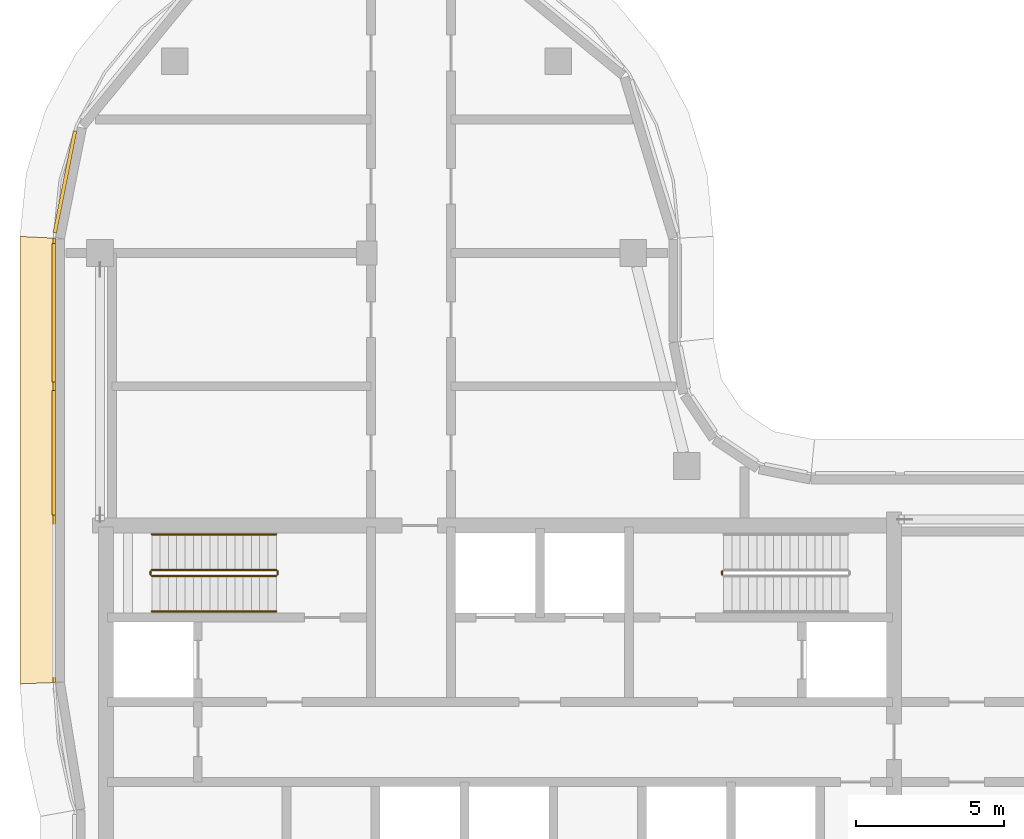
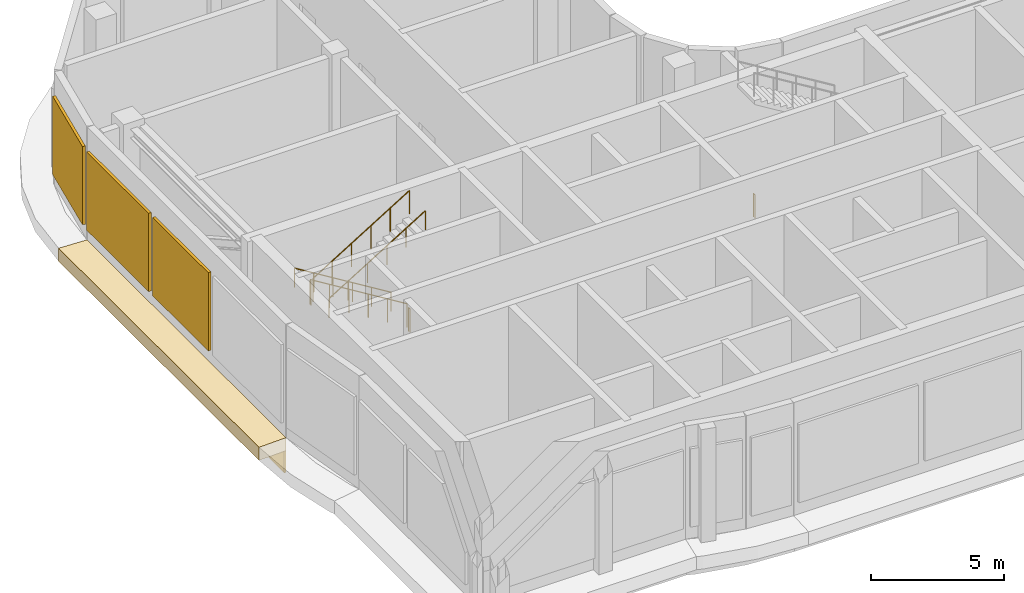
# One storey, part 10 of 14: 7 railings, 3 shading devices, 2 coverings.
"""IFC4 building model written with IfcOpenShell, lengths in metres."""

import ifcopenshell
import ifcopenshell.guid

model = None  # the IFC model being written
_history = None  # IfcOwnerHistory: only IFC2X3 demands one
_inside = {}  # id of a spatial element -> (the spatial element, [elements in it])
_under = {}  # id of a project, library or spatial element -> (it, [spatial elements below it])
_declared = {}  # id of a project -> (the project, [libraries it declares])
_typed = {}  # id of a type object -> (the type object, [elements of that type])
_made_of = {}  # id of a material, layer set ... -> (it, [elements and type objects made of it])


def new_model(schema):
    """Start an empty IFC model of exactly this schema.

    Asked for "IFC4X3", IfcOpenShell would pick the latest addendum, in which some entities
    have other attributes; the version numbers below select the first issue.
    IFC2X3 requires an IfcOwnerHistory on every rooted entity: one is made here for all.
    """
    global model, _history
    if schema == "IFC4X3":
        model = ifcopenshell.file(schema_version=(4, 3, 0, 0))
    else:
        model = ifcopenshell.file(schema=schema)
    _inside.clear()
    _under.clear()
    _declared.clear()
    _typed.clear()
    _made_of.clear()
    _history = None
    if model.schema == "IFC2X3":
        org = make("IfcOrganization", Name="unknown")
        user = make(
            "IfcPersonAndOrganization",
            ThePerson=make("IfcPerson", FamilyName="unknown"),
            TheOrganization=org,
        )
        app = make(
            "IfcApplication",
            ApplicationDeveloper=org,
            Version="unknown",
            ApplicationFullName="unknown",
            ApplicationIdentifier="unknown",
        )
        _history = make(
            "IfcOwnerHistory",
            OwningUser=user,
            OwningApplication=app,
            ChangeAction="ADDED",
            CreationDate=0,
        )
    return model


def make(cls, **values):
    """One entity of the class cls with the attributes given. An attribute that is None is left unset."""
    return model.create_entity(
        cls, **{name: value for name, value in values.items() if value is not None}
    )


def rooted(cls, **values):
    """An entity with a GlobalId (a new one), such as an element, a storey or a relation."""
    return make(cls, GlobalId=ifcopenshell.guid.new(), OwnerHistory=_history, **values)


def si_unit(unit_type, name, prefix=None):
    """IfcSIUnit, for example si_unit("LENGTHUNIT", "METRE", prefix="MILLI")."""
    return make("IfcSIUnit", UnitType=unit_type, Prefix=prefix, Name=name)


def assignment(units):
    """IfcUnitAssignment: the units of a project."""
    return None if units is None else make("IfcUnitAssignment", Units=units)


def point(xyz):
    """IfcCartesianPoint."""
    return None if xyz is None else make("IfcCartesianPoint", Coordinates=xyz)


def direction(xyz):
    """IfcDirection."""
    return None if xyz is None else make("IfcDirection", DirectionRatios=xyz)


def frame(location, z_axis=None, x_axis=None):
    """IfcAxis2Placement3D, a coordinate frame: its origin and axes. An axis left out is left unset."""
    return make(
        "IfcAxis2Placement3D",
        Location=point(location),
        Axis=direction(z_axis),
        RefDirection=direction(x_axis),
    )


def frame_2d(location, x_axis=None):
    """IfcAxis2Placement2D, a coordinate frame in the plane: its origin and x axis."""
    return make(
        "IfcAxis2Placement2D", Location=point(location), RefDirection=direction(x_axis)
    )


def origin():
    """The frame at (0, 0, 0) with its axes left unset."""
    return frame((0.0, 0.0, 0.0))


def origin_2d():
    """The frame at (0, 0) in the plane with its x axis left unset."""
    return frame_2d((0.0, 0.0))


def place(relative_to, where):
    """IfcLocalPlacement: puts the frame where relative to a parent placement (None: the world)."""
    return make(
        "IfcLocalPlacement", PlacementRelTo=relative_to, RelativePlacement=where
    )


def context(
    kind, dimensions, precision=None, world=None, true_north=None, identifier=None
):
    """IfcGeometricRepresentationContext, for example the 3D "Model" context."""
    return make(
        "IfcGeometricRepresentationContext",
        ContextIdentifier=identifier,
        ContextType=kind,
        CoordinateSpaceDimension=dimensions,
        Precision=precision,
        WorldCoordinateSystem=world,
        TrueNorth=true_north,
    )


def subcontext(parent, identifier, kind, view, scale=None):
    """IfcGeometricRepresentationSubContext, for example "Body" below "Model"."""
    return make(
        "IfcGeometricRepresentationSubContext",
        ContextIdentifier=identifier,
        ContextType=kind,
        ParentContext=parent,
        TargetScale=scale,
        TargetView=view,
    )


def project(units=None, contexts=None):
    """IfcProject with its units and contexts."""
    return rooted(
        "IfcProject",
        Name="project",
        RepresentationContexts=contexts,
        UnitsInContext=assignment(units),
    )


def spatial(cls, under=None, at=None, **own):
    """A site, building, storey or space (cls), placed at a placement, below another one or the project."""
    s = rooted(cls, ObjectPlacement=at, **own)
    if under is not None:
        _under.setdefault(under.id(), (under, []))[1].append(s)
    return s


def polyline(points):
    """IfcPolyline through the points."""
    return make("IfcPolyline", Points=[point(p) for p in points])


def profile(cls, at=None, kind="AREA", **sizes):
    """A parametric profile (cls). Its sizes go by their IFC names, for example OverallWidth=200.0."""
    return make(cls, ProfileType=kind, Position=at, **sizes)


def rectangle(**sizes):
    """IfcRectangleProfileDef."""
    return profile("IfcRectangleProfileDef", **sizes)


def circle(**sizes):
    """IfcCircleProfileDef."""
    return profile("IfcCircleProfileDef", **sizes)


def outline(outer, holes=None, kind="AREA"):
    """IfcArbitraryClosedProfileDef: a profile drawn as a closed curve; with holes, ...WithVoids."""
    if holes is None:
        return make("IfcArbitraryClosedProfileDef", ProfileType=kind, OuterCurve=outer)
    return make(
        "IfcArbitraryProfileDefWithVoids",
        ProfileType=kind,
        OuterCurve=outer,
        InnerCurves=holes,
    )


def extrude(swept, where, along, depth):
    """IfcExtrudedAreaSolid: the profile swept, set in the frame where, extruded along a direction by depth."""
    return make(
        "IfcExtrudedAreaSolid",
        SweptArea=swept,
        Position=where,
        ExtrudedDirection=direction(along),
        Depth=depth,
    )


def shape(context_of_items, identifier, shape_type, items):
    """IfcShapeRepresentation: the items that make up one representation, for example the "Body"."""
    return make(
        "IfcShapeRepresentation",
        ContextOfItems=context_of_items,
        RepresentationIdentifier=identifier,
        RepresentationType=shape_type,
        Items=items,
    )


def material(Name=None, Category=None):
    """IfcMaterial."""
    return make("IfcMaterial", Name=Name, Category=Category)


def layer(
    of_material, thickness, ventilated=None, Name=None, Category=None, Priority=None
):
    """IfcMaterialLayer: one layer of a wall or slab, of a material (None: an air gap)."""
    return make(
        "IfcMaterialLayer",
        Material=of_material,
        LayerThickness=thickness,
        IsVentilated=ventilated,
        Name=Name,
        Category=Category,
        Priority=Priority,
    )


def layer_set(layers, Name=None):
    """IfcMaterialLayerSet."""
    return make("IfcMaterialLayerSet", MaterialLayers=layers, LayerSetName=Name)


def made_of(thing, what):
    """Note that an element or type object is made of a material, layer set ...; save() writes the relation."""
    if what is not None:
        _made_of.setdefault(what.id(), (what, []))[1].append(thing)
    return thing


def type_object(cls, material=None, **own):
    """A type object (cls), such as IfcWallType, which elements share."""
    return made_of(rooted(cls, **own), material)


def element(
    cls,
    number,
    at=None,
    inside=None,
    cuts=None,
    type_object=None,
    material=None,
    context=None,
    identifier="Body",
    shape_type=None,
    held_by="IfcProductDefinitionShape",
    body=None,
    shapes=None,
    **own,
):
    """One element of the class cls, such as IfcWall. Its Tag is "e" and its number.

    at: its placement. inside: the storey or other place that contains it. cuts: it is an
    opening in that element (IfcRelVoidsElement). A single representation is given by context,
    identifier, shape_type and body (its items); several are given by shapes. held_by: the class
    of the entity that holds the representations. save() writes the other relations.
    """
    e = rooted(cls, Tag="e%d" % number, ObjectPlacement=at, **own)
    if body is not None:
        shapes = [shape(context, identifier, shape_type, body)]
    if shapes is not None:
        e.Representation = make(held_by, Representations=shapes)
    if inside is not None:
        _inside.setdefault(inside.id(), (inside, []))[1].append(e)
    if cuts is not None:
        rooted(
            "IfcRelVoidsElement", RelatingBuildingElement=cuts, RelatedOpeningElement=e
        )
    if type_object is not None:
        _typed.setdefault(type_object.id(), (type_object, []))[1].append(e)
    return made_of(e, material)


def aggregate(whole, parts):
    """IfcRelAggregates: a whole, such as a stair, and the parts it consists of."""
    return rooted("IfcRelAggregates", RelatingObject=whole, RelatedObjects=parts)


def save(model, path):
    """Write the relations noted so far, then the file.

    IfcRelAggregates (storeys below a building ...), IfcRelContainedInSpatialStructure (elements
    in a storey), IfcRelDefinesByType, IfcRelAssociatesMaterial and IfcRelDeclares: one each for
    every whole, place, type object, material and project.
    """
    for whole, parts in _under.values():
        aggregate(whole, parts)
    for where, things in _inside.values():
        rooted(
            "IfcRelContainedInSpatialStructure",
            RelatedElements=things,
            RelatingStructure=where,
        )
    for kind, things in _typed.values():
        rooted("IfcRelDefinesByType", RelatedObjects=things, RelatingType=kind)
    for what, things in _made_of.values():
        rooted("IfcRelAssociatesMaterial", RelatedObjects=things, RelatingMaterial=what)
    for by, libraries in _declared.values():
        rooted("IfcRelDeclares", RelatingContext=by, RelatedDefinitions=libraries)
    model.write(path)


model = new_model("IFC4")

# Units and contexts
model_context = context("Model", 3, precision=1e-05, world=origin(), true_north=direction((0.0, 1.0)))
body_context = subcontext(model_context, "Body", "Model", "MODEL_VIEW")
ifc_project = project(units=[si_unit("LENGTHUNIT", "METRE"), si_unit("AREAUNIT", "SQUARE_METRE"), si_unit("VOLUMEUNIT", "CUBIC_METRE"), si_unit("PLANEANGLEUNIT", "RADIAN"), si_unit("MASSUNIT", "GRAM", prefix="KILO")], contexts=[model_context])

# Site, building, storey
site_placement = place(None, origin())
site = spatial("IfcSite", under=ifc_project, at=site_placement, CompositionType="ELEMENT")
building_placement = place(site_placement, origin())
building = spatial("IfcBuilding", under=site, at=building_placement, Name="Ogive Portal Towers", CompositionType="ELEMENT")
storey_placement = place(building_placement, frame((0.0, 0.0, 243.89990234375)))
storey = spatial("IfcBuildingStorey", under=building, at=storey_placement, Name="L61", CompositionType="ELEMENT", Elevation=243.89990234375)

# Railings
ifc_material_1 = material(Name="Stainless steel balustrade", Category="steel")
railing_type_1 = type_object("IfcRailingType", Name="INT-GUARD", PredefinedType="GUARDRAIL", material=ifc_material_1)
railing_1_placement = place(storey_placement, frame((37.449951171875, 37.800048828125, 0.171875)))
element("IfcRailing", 1, at=railing_1_placement, inside=storey, type_object=railing_type_1, Name="L61 ST-A1 stair guard 1", PredefinedType="GUARDRAIL", context=body_context, shape_type="SweptSolid", body=[
    extrude(circle(Radius=0.02392578125, at=origin_2d()), frame((0.0, 0.0, 1.076171875), z_axis=(-0.852242915053, 0.0, 0.523146264196), x_axis=(0.0, -1.0, 0.0)), (0.0, 0.0, 1.0), 4.92822265625),
    extrude(circle(Radius=0.02099609375, at=origin_2d()), origin(), (0.0, 0.0, 1.0), 1.052001953125),
    extrude(circle(Radius=0.02099609375, at=origin_2d()), frame((-0.840087890625, 0.0, 0.515625)), (0.0, 0.0, 1.0), 1.052001953125),
    extrude(circle(Radius=0.02099609375, at=origin_2d()), frame((-1.679931640625, 0.0, 1.03125)), (0.0, 0.0, 1.0), 1.052001953125),
    extrude(circle(Radius=0.02099609375, at=origin_2d()), frame((-2.52001953125, 0.0, 1.546875)), (0.0, 0.0, 1.0), 1.052001953125),
    extrude(circle(Radius=0.02099609375, at=origin_2d()), frame((-3.35986328125, 0.0, 2.0625)), (0.0, 0.0, 1.0), 1.052001953125),
    extrude(circle(Radius=0.02099609375, at=origin_2d()), frame((-4.199951171875, 0.0, 2.578125)), (0.0, 0.0, 1.0), 1.052001953125),
])
railing_2_placement = place(storey_placement, frame((33.199951171875, 37.75, 2.75)))
element("IfcRailing", 2, at=railing_2_placement, inside=storey, type_object=railing_type_1, Name="L61 ST-A1 stair guard 2", PredefinedType="GUARDRAIL", context=body_context, shape_type="SweptSolid", body=[
    extrude(circle(Radius=0.02392578125, at=origin_2d()), frame((0.0, 0.0, 1.076171875), z_axis=(0.0, -1.0, 0.0), x_axis=(1.0, 0.0, 0.0)), (0.0, 0.0, 1.0), 0.10009765625),
    extrude(circle(Radius=0.02099609375, at=origin_2d()), origin(), (0.0, 0.0, 1.0), 1.052001953125),
    extrude(circle(Radius=0.02099609375, at=origin_2d()), frame((0.0, -0.10009765625, 0.0)), (0.0, 0.0, 1.0), 1.052001953125),
])
railing_3_placement = place(storey_placement, frame((33.25, 37.60009765625, 2.921875)))
element("IfcRailing", 3, at=railing_3_placement, inside=storey, type_object=railing_type_1, Name="L61 ST-A1 stair guard 3", PredefinedType="GUARDRAIL", context=body_context, shape_type="SweptSolid", body=[
    extrude(circle(Radius=0.02392578125, at=origin_2d()), frame((0.0, 0.0, 1.076171875), z_axis=(0.852242915053, 0.0, 0.523146264196), x_axis=(0.0, 1.0, 0.0)), (0.0, 0.0, 1.0), 4.92822265625),
    extrude(circle(Radius=0.02099609375, at=origin_2d()), origin(), (0.0, 0.0, 1.0), 1.052001953125),
    extrude(circle(Radius=0.02099609375, at=origin_2d()), frame((0.840087890625, 0.0, 0.515625)), (0.0, 0.0, 1.0), 1.052001953125),
    extrude(circle(Radius=0.02099609375, at=origin_2d()), frame((1.679931640625, 0.0, 1.03125)), (0.0, 0.0, 1.0), 1.052001953125),
    extrude(circle(Radius=0.02099609375, at=origin_2d()), frame((2.52001953125, 0.0, 1.546875)), (0.0, 0.0, 1.0), 1.052001953125),
    extrude(circle(Radius=0.02099609375, at=origin_2d()), frame((3.35986328125, 0.0, 2.0625)), (0.0, 0.0, 1.0), 1.052001953125),
    extrude(circle(Radius=0.02099609375, at=origin_2d()), frame((4.199951171875, 0.0, 2.578125)), (0.0, 0.0, 1.0), 1.052001953125),
])
railing_4_placement = place(storey_placement, frame((37.5, 37.75, 0.0)))
element("IfcRailing", 4, at=railing_4_placement, inside=storey, type_object=railing_type_1, Name="L61 ST-A1 stair guard 4", PredefinedType="GUARDRAIL", context=body_context, shape_type="SweptSolid", body=[
    extrude(circle(Radius=0.02392578125, at=origin_2d()), frame((0.0, 0.0, 1.076171875), z_axis=(0.0, -1.0, 0.0), x_axis=(1.0, 0.0, 0.0)), (0.0, 0.0, 1.0), 0.10009765625),
    extrude(circle(Radius=0.02099609375, at=origin_2d()), origin(), (0.0, 0.0, 1.0), 1.052001953125),
    extrude(circle(Radius=0.02099609375, at=origin_2d()), frame((0.0, -0.10009765625, 0.0)), (0.0, 0.0, 1.0), 1.052001953125),
])
railing_5_placement = place(storey_placement, frame((52.5, 37.64990234375, 0.0)))
element("IfcRailing", 5, at=railing_5_placement, inside=storey, type_object=railing_type_1, Name="L61 ST-A2 stair guard 4", PredefinedType="GUARDRAIL", context=body_context, shape_type="SweptSolid", body=[
    extrude(circle(Radius=0.02392578125, at=origin_2d()), frame((0.0, 0.0, 1.076171875), z_axis=(0.0, 1.0, 0.0), x_axis=(-1.0, 0.0, 0.0)), (0.0, 0.0, 1.0), 0.10009765625),
    extrude(circle(Radius=0.02099609375, at=origin_2d()), origin(), (0.0, 0.0, 1.0), 1.052001953125),
    extrude(circle(Radius=0.02099609375, at=origin_2d()), frame((0.0, 0.10009765625, 0.0)), (0.0, 0.0, 1.0), 1.052001953125),
])
ifc_material_2 = material(Name="Stainless steel handrail", Category="steel")
railing_type_2 = type_object("IfcRailingType", Name="INT-HANDRAIL", PredefinedType="HANDRAIL", material=ifc_material_2)
railing_6_placement = place(storey_placement, frame((37.449951171875, 39.0, 0.171875)))
element("IfcRailing", 6, at=railing_6_placement, inside=storey, type_object=railing_type_2, Name="L61 ST-A1 stair handrail 1", PredefinedType="HANDRAIL", context=body_context, shape_type="SweptSolid", body=[
    extrude(circle(Radius=0.02392578125, at=origin_2d()), frame((0.0, 0.0, 0.8759765625), z_axis=(-0.852242915053, 0.0, 0.523146264196), x_axis=(0.0, -1.0, 0.0)), (0.0, 0.0, 1.0), 4.92822265625),
    extrude(circle(Radius=0.02099609375, at=origin_2d()), origin(), (0.0, 0.0, 1.0), 0.851806640625),
    extrude(circle(Radius=0.02099609375, at=origin_2d()), frame((-0.840087890625, 0.0, 0.515625)), (0.0, 0.0, 1.0), 0.851806640625),
    extrude(circle(Radius=0.02099609375, at=origin_2d()), frame((-1.679931640625, 0.0, 1.03125)), (0.0, 0.0, 1.0), 0.851806640625),
    extrude(circle(Radius=0.02099609375, at=origin_2d()), frame((-2.52001953125, 0.0, 1.546875)), (0.0, 0.0, 1.0), 0.851806640625),
    extrude(circle(Radius=0.02099609375, at=origin_2d()), frame((-3.35986328125, 0.0, 2.0625)), (0.0, 0.0, 1.0), 0.851806640625),
    extrude(circle(Radius=0.02099609375, at=origin_2d()), frame((-4.199951171875, 0.0, 2.578125)), (0.0, 0.0, 1.0), 0.851806640625),
])
railing_7_placement = place(storey_placement, frame((33.25, 36.39990234375, 2.921875)))
element("IfcRailing", 7, at=railing_7_placement, inside=storey, type_object=railing_type_2, Name="L61 ST-A1 stair handrail 2", PredefinedType="HANDRAIL", context=body_context, shape_type="SweptSolid", body=[
    extrude(circle(Radius=0.02392578125, at=origin_2d()), frame((0.0, 0.0, 0.8759765625), z_axis=(0.852242915053, 0.0, 0.523146264196), x_axis=(0.0, 1.0, 0.0)), (0.0, 0.0, 1.0), 4.92822265625),
    extrude(circle(Radius=0.02099609375, at=origin_2d()), origin(), (0.0, 0.0, 1.0), 0.851806640625),
    extrude(circle(Radius=0.02099609375, at=origin_2d()), frame((0.840087890625, 0.0, 0.515625)), (0.0, 0.0, 1.0), 0.851806640625),
    extrude(circle(Radius=0.02099609375, at=origin_2d()), frame((1.679931640625, 0.0, 1.03125)), (0.0, 0.0, 1.0), 0.851806640625),
    extrude(circle(Radius=0.02099609375, at=origin_2d()), frame((2.52001953125, 0.0, 1.546875)), (0.0, 0.0, 1.0), 0.851806640625),
    extrude(circle(Radius=0.02099609375, at=origin_2d()), frame((3.35986328125, 0.0, 2.0625)), (0.0, 0.0, 1.0), 0.851806640625),
    extrude(circle(Radius=0.02099609375, at=origin_2d()), frame((4.199951171875, 0.0, 2.578125)), (0.0, 0.0, 1.0), 0.851806640625),
])

# Shading devices
ifc_material_3 = material(Name="Aluminium 6063 anodised", Category="aluminium")
ifc_layer_1 = layer(ifc_material_3, 0.1201171875)
ifc_layer_set_1 = layer_set([ifc_layer_1], Name="LOUVRE BANK ALUMINIUM")
shading_device_type = type_object("IfcShadingDeviceType", Name="LOUVRE BANK ALUMINIUM", PredefinedType="USERDEFINED", material=ifc_layer_set_1)
shading_device_1_placement = place(storey_placement, frame((30.3173828125, 50.90283203125, 0.60009765625), z_axis=(0.0, 0.0, 1.0), x_axis=(-0.195090322016, -0.980785280403, 0.0)))
element("IfcShadingDevice", 8, at=shading_device_1_placement, inside=storey, type_object=shading_device_type, Name="Louvre bank 1", ObjectType="LOUVRE", PredefinedType="USERDEFINED", context=body_context, shape_type="SweptSolid", body=[
    extrude(rectangle(XDim=3.4970703125, YDim=0.1201171875, at=origin_2d()), origin(), (0.0, 0.0, 1.0), 3.60009765625),
])
shading_device_2_placement = place(storey_placement, frame((29.93994140625, 46.485107421875, 0.60009765625), z_axis=(0.0, 0.0, 1.0), x_axis=(0.0, -1.0, 0.0)))
element("IfcShadingDevice", 9, at=shading_device_2_placement, inside=storey, type_object=shading_device_type, Name="Louvre bank 1", ObjectType="LOUVRE", PredefinedType="USERDEFINED", context=body_context, shape_type="SweptSolid", body=[
    extrude(rectangle(XDim=4.67041015625, YDim=0.1201171875, at=origin_2d()), origin(), (0.0, 0.0, 1.0), 3.60009765625),
])
shading_device_3_placement = place(storey_placement, frame((29.93994140625, 41.75, 0.60009765625), z_axis=(0.0, 0.0, 1.0), x_axis=(0.0, -1.0, 0.0)))
element("IfcShadingDevice", 10, at=shading_device_3_placement, inside=storey, type_object=shading_device_type, Name="Louvre bank 2", ObjectType="LOUVRE", PredefinedType="USERDEFINED", context=body_context, shape_type="SweptSolid", body=[
    extrude(rectangle(XDim=4.199951171875, YDim=0.1201171875, at=origin_2d()), origin(), (0.0, 0.0, 1.0), 3.60009765625),
])

# Coverings
ifc_material_4 = material(Name="Limestone cladding on lightweight block wall", Category="masonry")
ifc_layer_2 = layer(ifc_material_4, 0.080078125)
ifc_layer_set_2 = layer_set([ifc_layer_2], Name="STONE SPANDREL 80")
covering_type_1 = type_object("IfcCoveringType", Name="STONE SPANDREL 80", PredefinedType="CLADDING", material=ifc_layer_set_2)
covering_1_placement = place(storey_placement, frame((0.0, 0.0, -1.599853515625)))
element("IfcCovering", 11, at=covering_1_placement, inside=storey, type_object=covering_type_1, Name="Stone spandrel A1-F13", PredefinedType="CLADDING", context=body_context, shape_type="SweptSolid", body=[
    extrude(outline(polyline([(30.0, 49.0), (30.0, 34.0), (29.919921875, 33.9970703125), (29.919921875, 49.00390625), (30.0, 49.0)])), origin(), (0.0, 0.0, 1.0), 1.0),
])
ifc_layer_3 = layer(ifc_material_4, 0.60009765625)
ifc_layer_set_3 = layer_set([ifc_layer_3], Name="SUNSHADE LIP 600")
covering_type_2 = type_object("IfcCoveringType", Name="SUNSHADE LIP 600", PredefinedType="CLADDING", material=ifc_layer_set_3)
covering_2_placement = place(storey_placement, frame((0.0, 0.0, -0.599853515625)))
element("IfcCovering", 12, at=covering_2_placement, inside=storey, type_object=covering_type_2, Name="Sunshade lip A1-F13", PredefinedType="CLADDING", context=body_context, shape_type="SweptSolid", body=[
    extrude(outline(polyline([(30.0, 49.0), (30.0, 34.0), (28.800048828125, 33.95703125), (28.800048828125, 49.058837890625), (30.0, 49.0)])), origin(), (0.0, 0.0, 1.0), 0.599853515625),
])

save(model, "model.ifc")
